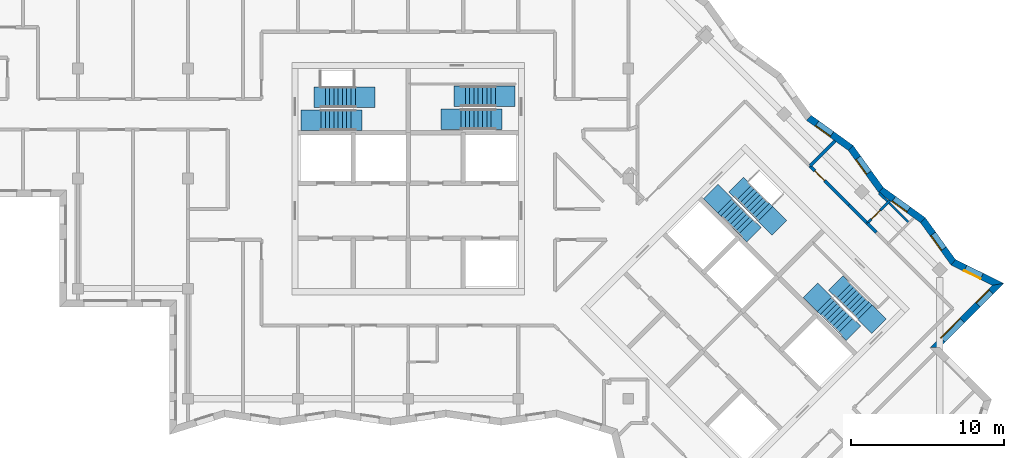
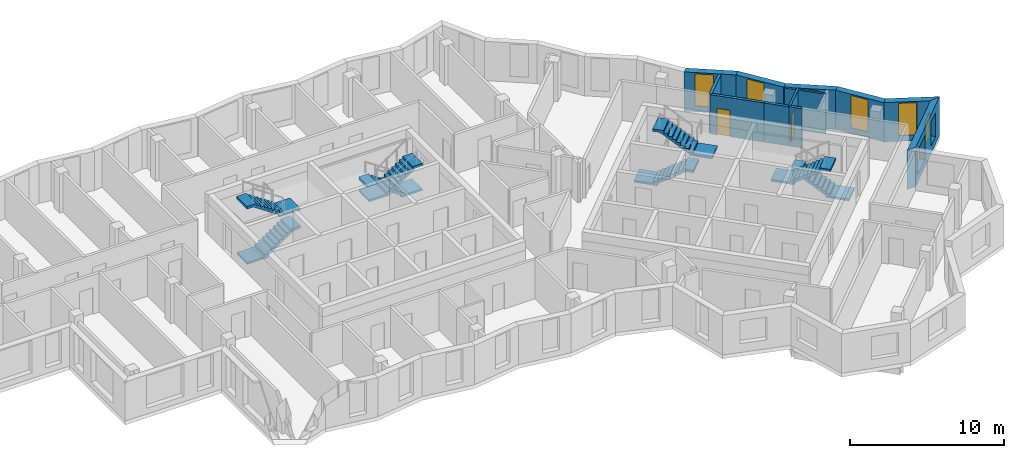
# One storey, part 8 of 11: 12 walls, 8 stair flights, 7 windows, 2 doors, 9 openings, 4 elements without a shape of their own.
"""IFC4 building model written with IfcOpenShell, lengths in metres."""

from ifc_helpers import new_model, si_unit, direction, frame, frame_2d, origin, place, context, subcontext, project, spatial, polyline, rectangle, outline, extrude, material, layer, layer_set, type_object, element, fill, aggregate, save


model = new_model("IFC4")

# Units and contexts
model_context = context("Model", 3, precision=1e-05, world=origin(), true_north=direction((0.0, 1.0)))
body_context = subcontext(model_context, "Body", "Model", "MODEL_VIEW")
ifc_project = project(units=[si_unit("LENGTHUNIT", "METRE"), si_unit("AREAUNIT", "SQUARE_METRE"), si_unit("VOLUMEUNIT", "CUBIC_METRE"), si_unit("PLANEANGLEUNIT", "RADIAN"), si_unit("MASSUNIT", "GRAM", prefix="KILO")], contexts=[model_context])

# Site, building, storey
site_placement = place(None, origin())
site = spatial("IfcSite", under=ifc_project, at=site_placement, CompositionType="ELEMENT")
building_placement = place(site_placement, origin())
building = spatial("IfcBuilding", under=site, at=building_placement, Name="Windrow Commons", CompositionType="ELEMENT")
storey_placement = place(building_placement, frame((0.0, 0.0, 271.0)))
storey = spatial("IfcBuildingStorey", under=building, at=storey_placement, Name="L74", CompositionType="ELEMENT", Elevation=271.0)

# Wall, openings, windows
ifc_material_1 = material(Name="Brick masonry, red clay brick", Category="masonry")
ifc_layer_1 = layer(ifc_material_1, 0.45)
ifc_layer_set_1 = layer_set([ifc_layer_1], Name="Brick facade wall 450")
wall_type_1 = type_object("IfcWallType", Name="Brick facade wall 450", PredefinedType="SOLIDWALL", material=ifc_layer_set_1)
wall_1_placement = place(storey_placement, frame((99.2465, 46.5442, 0.0), z_axis=(0.0, 0.0, 1.0), x_axis=(0.7071067812, 0.7071067812, 0.0)))
wall_1 = element("IfcWall", 1, at=wall_1_placement, inside=storey, type_object=wall_type_1, Name="Brick facade wall L74 6", PredefinedType="SOLIDWALL", context=body_context, shape_type="SweptSolid", body=[
    extrude(outline(polyline([(0.225, -0.225), (6.167, -0.225), (5.5374, 0.225), (-0.225, 0.225), (0.225, -0.225)])), origin(), (0.0, 0.0, 1.0), 3.1),
])
opening_1_placement = place(wall_1_placement, frame((0.7125, 0.0, 0.6)))
opening_1 = element("IfcOpeningElement", 2, at=opening_1_placement, cuts=wall_1, Name="Opening W1L", PredefinedType="OPENING", context=body_context, shape_type="SweptSolid", body=[
    extrude(rectangle(XDim=1.8, YDim=1.9, at=frame_2d((0.9, 0.95))), frame((0.0, 0.235, 0.0), z_axis=(0.0, -1.0, 0.0), x_axis=(1.0, 0.0, 0.0)), (0.0, 0.0, 1.0), 0.47),
])
opening_2_placement = place(wall_1_placement, frame((3.9812, 0.0, 0.6)))
opening_2 = element("IfcOpeningElement", 3, at=opening_2_placement, cuts=wall_1, Name="Opening W7G", PredefinedType="OPENING", context=body_context, shape_type="SweptSolid", body=[
    extrude(rectangle(XDim=1.2, YDim=1.9, at=frame_2d((0.6, 0.95))), frame((0.0, 0.235, 0.0), z_axis=(0.0, -1.0, 0.0), x_axis=(1.0, 0.0, 0.0)), (0.0, 0.0, 1.0), 0.47),
])
ifc_material_2 = material(Name="Clear float glass in anodised aluminium frame", Category="aluminium")
window_type_1 = type_object("IfcWindowType", Name="Window W1L bedroom 1800x1900", PartitioningType="SINGLE_PANEL", PredefinedType="WINDOW", material=ifc_material_2)
window_1_placement = place(opening_1_placement, origin())
window_1 = element("IfcWindow", 4, at=window_1_placement, inside=storey, type_object=window_type_1, Name="Window L74 6.1", OverallHeight=1.9, OverallWidth=1.8, PartitioningType="SINGLE_PANEL", PredefinedType="WINDOW", context=body_context, shape_type="SweptSolid", body=[
    extrude(rectangle(XDim=1.8, YDim=1.9, at=frame_2d((0.9, 0.95))), frame((0.0, 0.205, 0.0), z_axis=(0.0, -1.0, 0.0), x_axis=(1.0, 0.0, 0.0)), (0.0, 0.0, 1.0), 0.06),
])
fill(opening_1, window_1)
ifc_material_3 = material(Name="Clear float glass in anodised aluminium frame", Category="aluminium")
window_type_2 = type_object("IfcWindowType", Name="Window W7 notch 1200x1900", PartitioningType="SINGLE_PANEL", PredefinedType="WINDOW", material=ifc_material_3)
window_2_placement = place(opening_2_placement, origin())
window_2 = element("IfcWindow", 5, at=window_2_placement, inside=storey, type_object=window_type_2, Name="Window L74 6.2", OverallHeight=1.9, OverallWidth=1.2, PartitioningType="SINGLE_PANEL", PredefinedType="WINDOW", context=body_context, shape_type="SweptSolid", body=[
    extrude(rectangle(XDim=1.2, YDim=1.9, at=frame_2d((0.6, 0.95))), frame((0.0, 0.205, 0.0), z_axis=(0.0, -1.0, 0.0), x_axis=(1.0, 0.0, 0.0)), (0.0, 0.0, 1.0), 0.06),
])
fill(opening_2, window_2)

# Wall, opening, window
wall_2_placement = place(storey_placement, frame((103.3846, 50.6823, 0.0), z_axis=(0.0, 0.0, 1.0), x_axis=(-0.8979600771, 0.440076925, 0.0)))
wall_2 = element("IfcWall", 6, at=wall_2_placement, inside=storey, type_object=wall_type_1, Name="Brick facade wall L74 7", PredefinedType="SOLIDWALL", context=body_context, shape_type="SweptSolid", body=[
    extrude(outline(polyline([(-0.3148, -0.225), (3.2122, -0.225), (3.3249, 0.225), (0.3148, 0.225), (-0.3148, -0.225)])), origin(), (0.0, 0.0, 1.0), 3.1),
])
opening_3_placement = place(wall_2_placement, frame((1.1917, 0.0, 0.45)))
opening_3 = element("IfcOpeningElement", 7, at=opening_3_placement, cuts=wall_2, Name="Opening W7F", PredefinedType="OPENING", context=body_context, shape_type="SweptSolid", body=[
    extrude(rectangle(XDim=1.2, YDim=2.55, at=frame_2d((0.6, 1.275))), frame((0.0, 0.235, 0.0), z_axis=(0.0, -1.0, 0.0), x_axis=(1.0, 0.0, 0.0)), (0.0, 0.0, 1.0), 0.47),
])
ifc_material_4 = material(Name="Clear float glass in anodised aluminium frame", Category="aluminium")
window_type_3 = type_object("IfcWindowType", Name="Window W7 notch 1200x2550", PartitioningType="SINGLE_PANEL", PredefinedType="WINDOW", material=ifc_material_4)
window_3_placement = place(opening_3_placement, origin())
window_3 = element("IfcWindow", 8, at=window_3_placement, inside=storey, type_object=window_type_3, Name="Window L74 7.1", OverallHeight=2.55, OverallWidth=1.2, PartitioningType="SINGLE_PANEL", PredefinedType="WINDOW", context=body_context, shape_type="SweptSolid", body=[
    extrude(rectangle(XDim=1.2, YDim=2.55, at=frame_2d((0.6, 1.275))), frame((0.0, 0.205, 0.0), z_axis=(0.0, -1.0, 0.0), x_axis=(1.0, 0.0, 0.0)), (0.0, 0.0, 1.0), 0.06),
])
fill(opening_3, window_3)

wall_3_placement = place(storey_placement, frame((100.4496, 52.1207, 0.0), z_axis=(0.0, 0.0, 1.0), x_axis=(-0.5846130088, 0.8113122888, 0.0)))
wall_3 = element("IfcWall", 9, at=wall_3_placement, inside=storey, type_object=wall_type_1, Name="Brick facade wall L74 8", PredefinedType="SOLIDWALL", context=body_context, shape_type="SweptSolid", body=[
    extrude(outline(polyline([(0.0563, -0.225), (3.4371, -0.225), (3.364, 0.225), (-0.0563, 0.225), (0.0563, -0.225)])), origin(), (0.0, 0.0, 1.0), 3.1),
])
opening_4_placement = place(wall_3_placement, frame((1.082, 0.0, 0.45)))
opening_4 = element("IfcOpeningElement", 10, at=opening_4_placement, cuts=wall_3, Name="Opening W7F", PredefinedType="OPENING", context=body_context, shape_type="SweptSolid", body=[
    extrude(rectangle(XDim=1.2, YDim=2.55, at=frame_2d((0.6, 1.275))), frame((0.0, 0.235, 0.0), z_axis=(0.0, -1.0, 0.0), x_axis=(1.0, 0.0, 0.0)), (0.0, 0.0, 1.0), 0.47),
])
window_4_placement = place(opening_4_placement, origin())
window_4 = element("IfcWindow", 11, at=window_4_placement, inside=storey, type_object=window_type_3, Name="Window L74 8.1", OverallHeight=2.55, OverallWidth=1.2, PartitioningType="SINGLE_PANEL", PredefinedType="WINDOW", context=body_context, shape_type="SweptSolid", body=[
    extrude(rectangle(XDim=1.2, YDim=2.55, at=frame_2d((0.6, 1.275))), frame((0.0, 0.205, 0.0), z_axis=(0.0, -1.0, 0.0), x_axis=(1.0, 0.0, 0.0)), (0.0, 0.0, 1.0), 0.06),
])
fill(opening_4, window_4)

wall_4_placement = place(storey_placement, frame((98.4616, 54.8796, 0.0), z_axis=(0.0, 0.0, 1.0), x_axis=(-0.8113121077, 0.5846132601, 0.0)))
wall_4 = element("IfcWall", 12, at=wall_4_placement, inside=storey, type_object=wall_type_1, Name="Brick facade wall L74 9", PredefinedType="SOLIDWALL", context=body_context, shape_type="SweptSolid", body=[
    extrude(outline(polyline([(-0.0365, -0.225), (3.3442, -0.225), (3.4173, 0.225), (0.0365, 0.225), (-0.0365, -0.225)])), origin(), (0.0, 0.0, 1.0), 3.1),
])
opening_5_placement = place(wall_4_placement, frame((1.1568, 0.0, 0.45)))
opening_5 = element("IfcOpeningElement", 13, at=opening_5_placement, cuts=wall_4, Name="Opening W7F", PredefinedType="OPENING", context=body_context, shape_type="SweptSolid", body=[
    extrude(rectangle(XDim=1.2, YDim=2.55, at=frame_2d((0.6, 1.275))), frame((0.0, 0.235, 0.0), z_axis=(0.0, -1.0, 0.0), x_axis=(1.0, 0.0, 0.0)), (0.0, 0.0, 1.0), 0.47),
])
window_5_placement = place(opening_5_placement, origin())
window_5 = element("IfcWindow", 14, at=window_5_placement, inside=storey, type_object=window_type_3, Name="Window L74 9.1", OverallHeight=2.55, OverallWidth=1.2, PartitioningType="SINGLE_PANEL", PredefinedType="WINDOW", context=body_context, shape_type="SweptSolid", body=[
    extrude(rectangle(XDim=1.2, YDim=2.55, at=frame_2d((0.6, 1.275))), frame((0.0, 0.205, 0.0), z_axis=(0.0, -1.0, 0.0), x_axis=(1.0, 0.0, 0.0)), (0.0, 0.0, 1.0), 0.06),
])
fill(opening_5, window_5)

wall_5_placement = place(storey_placement, frame((95.7188, 56.856, 0.0), z_axis=(0.0, 0.0, 1.0), x_axis=(-0.5846132601, 0.8113121077, 0.0)))
wall_5 = element("IfcWall", 15, at=wall_5_placement, inside=storey, type_object=wall_type_1, Name="Brick facade wall L74 10", PredefinedType="SOLIDWALL", context=body_context, shape_type="SweptSolid", body=[
    extrude(outline(polyline([(0.0365, -0.225), (3.4173, -0.225), (3.3442, 0.225), (-0.0365, 0.225), (0.0365, -0.225)])), origin(), (0.0, 0.0, 1.0), 3.1),
])
opening_6_placement = place(wall_5_placement, frame((1.3718, 0.0, 0.45)))
opening_6 = element("IfcOpeningElement", 16, at=opening_6_placement, cuts=wall_5, Name="Opening W7F", PredefinedType="OPENING", context=body_context, shape_type="SweptSolid", body=[
    extrude(rectangle(XDim=1.2, YDim=2.55, at=frame_2d((0.6, 1.275))), frame((0.0, 0.235, 0.0), z_axis=(0.0, -1.0, 0.0), x_axis=(1.0, 0.0, 0.0)), (0.0, 0.0, 1.0), 0.47),
])
window_6_placement = place(opening_6_placement, origin())
window_6 = element("IfcWindow", 17, at=window_6_placement, inside=storey, type_object=window_type_3, Name="Window L74 10.1", OverallHeight=2.55, OverallWidth=1.2, PartitioningType="SINGLE_PANEL", PredefinedType="WINDOW", context=body_context, shape_type="SweptSolid", body=[
    extrude(rectangle(XDim=1.2, YDim=2.55, at=frame_2d((0.6, 1.275))), frame((0.0, 0.205, 0.0), z_axis=(0.0, -1.0, 0.0), x_axis=(1.0, 0.0, 0.0)), (0.0, 0.0, 1.0), 0.06),
])
fill(opening_6, window_6)

wall_6_placement = place(storey_placement, frame((93.7424, 59.5988, 0.0), z_axis=(0.0, 0.0, 1.0), x_axis=(-0.8113222169, 0.5845992306, 0.0)))
wall_6 = element("IfcWall", 18, at=wall_6_placement, inside=storey, type_object=wall_type_1, Name="Brick facade wall L74 11", PredefinedType="SOLIDWALL", context=body_context, shape_type="SweptSolid", body=[
    extrude(outline(polyline([(-0.0365, -0.225), (3.3442, -0.225), (3.4173, 0.225), (0.0365, 0.225), (-0.0365, -0.225)])), origin(), (0.0, 0.0, 1.0), 3.1),
])
opening_7_placement = place(wall_6_placement, frame((1.5232, 0.0, 0.45)))
opening_7 = element("IfcOpeningElement", 19, at=opening_7_placement, cuts=wall_6, Name="Opening W7F", PredefinedType="OPENING", context=body_context, shape_type="SweptSolid", body=[
    extrude(rectangle(XDim=1.2, YDim=2.55, at=frame_2d((0.6, 1.275))), frame((0.0, 0.235, 0.0), z_axis=(0.0, -1.0, 0.0), x_axis=(1.0, 0.0, 0.0)), (0.0, 0.0, 1.0), 0.47),
])
window_7_placement = place(opening_7_placement, origin())
window_7 = element("IfcWindow", 20, at=window_7_placement, inside=storey, type_object=window_type_3, Name="Window L74 11.1", OverallHeight=2.55, OverallWidth=1.2, PartitioningType="SINGLE_PANEL", PredefinedType="WINDOW", context=body_context, shape_type="SweptSolid", body=[
    extrude(rectangle(XDim=1.2, YDim=2.55, at=frame_2d((0.6, 1.275))), frame((0.0, 0.205, 0.0), z_axis=(0.0, -1.0, 0.0), x_axis=(1.0, 0.0, 0.0)), (0.0, 0.0, 1.0), 0.06),
])
fill(opening_7, window_7)

# Wall, opening, door
ifc_material_5 = material(Name="Blockwork partition", Category="masonry")
ifc_layer_2 = layer(ifc_material_5, 0.2)
ifc_layer_set_2 = layer_set([ifc_layer_2], Name="IW-CORRIDOR-200")
wall_type_2 = type_object("IfcWallType", Name="IW-CORRIDOR-200", PredefinedType="PARTITIONING", material=ifc_layer_set_2)
wall_7_placement = place(storey_placement, frame((91.0769, 58.4209, 0.0), z_axis=(0.0, 0.0, 1.0), x_axis=(0.7068288851, -0.7073845681, 0.0)))
wall_7 = element("IfcWall", 21, at=wall_7_placement, inside=storey, type_object=wall_type_2, Name="W-L74-W052", PredefinedType="PARTITIONING", context=body_context, shape_type="SweptSolid", body=[
    extrude(rectangle(XDim=3.5992, YDim=0.2, at=frame_2d((1.7996, 0.0))), origin(), (0.0, 0.0, 1.0), 3.1),
])
opening_8_placement = place(wall_7_placement, frame((0.4508, 0.0, 0.0)))
opening_8 = element("IfcOpeningElement", 22, at=opening_8_placement, cuts=wall_7, Name="Opening D109S", PredefinedType="OPENING", context=body_context, shape_type="SweptSolid", body=[
    extrude(rectangle(XDim=0.9, YDim=2.1, at=frame_2d((0.45, 1.05))), frame((0.0, 0.11, 0.0), z_axis=(0.0, -1.0, 0.0), x_axis=(1.0, 0.0, 0.0)), (0.0, 0.0, 1.0), 0.22),
])
ifc_material_6 = material(Name="Timber door leaf", Category="wood")
door_type_1 = type_object("IfcDoorType", Name="DT-BEDROOM-900", OperationType="SINGLE_SWING_LEFT", PredefinedType="DOOR", material=ifc_material_6)
door_1_placement = place(opening_8_placement, origin())
door_1 = element("IfcDoor", 23, at=door_1_placement, inside=storey, type_object=door_type_1, Name="D-L74-D031", OperationType="SINGLE_SWING_RIGHT", OverallHeight=2.1, OverallWidth=0.9, PredefinedType="DOOR", context=body_context, shape_type="SweptSolid", body=[
    extrude(rectangle(XDim=0.9, YDim=2.1, at=frame_2d((0.45, 1.05))), frame((0.0, 0.025, 0.0), z_axis=(0.0, -1.0, 0.0), x_axis=(1.0, 0.0, 0.0)), (0.0, 0.0, 1.0), 0.05),
])
fill(opening_8, door_1)

# Walls
wall_8_placement = place(storey_placement, frame((93.6228, 55.8768, 0.0), z_axis=(0.0, 0.0, 1.0), x_axis=(0.7076943229, -0.7065187509, 0.0)))
element("IfcWall", 24, at=wall_8_placement, inside=storey, type_object=wall_type_2, Name="W-L74-W085", PredefinedType="PARTITIONING", context=body_context, shape_type="SweptSolid", body=[
    extrude(rectangle(XDim=1.7013, YDim=0.2, at=frame_2d((0.8507, 0.0))), origin(), (0.0, 0.0, 1.0), 3.1),
])
wall_9_placement = place(storey_placement, frame((94.826, 54.674, 0.0), z_axis=(0.0, 0.0, 1.0), x_axis=(0.7059173694, -0.7082941956, 0.0)))
element("IfcWall", 25, at=wall_9_placement, inside=storey, type_object=wall_type_2, Name="W-L74-W099", PredefinedType="PARTITIONING", context=body_context, shape_type="SweptSolid", body=[
    extrude(rectangle(XDim=0.8415, YDim=0.2, at=frame_2d((0.4208, 0.0))), origin(), (0.0, 0.0, 1.0), 3.1),
])
ifc_material_7 = material(Name="Blockwork partition", Category="masonry")
ifc_layer_3 = layer(ifc_material_7, 0.15)
ifc_layer_set_3 = layer_set([ifc_layer_3], Name="IW-ENSUITE-150")
wall_type_3 = type_object("IfcWallType", Name="IW-ENSUITE-150", PredefinedType="PARTITIONING", material=ifc_layer_set_3)
wall_10_placement = place(storey_placement, frame((95.6022, 56.6528, 0.0), z_axis=(0.0, 0.0, 1.0), x_axis=(0.7076157525, -0.7065974433, 0.0)))
element("IfcWall", 26, at=wall_10_placement, inside=storey, type_object=wall_type_3, Name="W-L74-W062", PredefinedType="PARTITIONING", context=body_context, shape_type="SweptSolid", body=[
    extrude(rectangle(XDim=2.7497, YDim=0.15, at=frame_2d((1.3748, 0.0))), origin(), (0.0, 0.0, 1.0), 3.1),
])

# Wall, opening, door
wall_11_placement = place(storey_placement, frame((94.8268, 54.6772, 0.0), z_axis=(0.0, 0.0, 1.0), x_axis=(0.7070828702, 0.7071306913, 0.0)))
wall_11 = element("IfcWall", 27, at=wall_11_placement, inside=storey, type_object=wall_type_3, Name="W-L74-W078", PredefinedType="PARTITIONING", context=body_context, shape_type="SweptSolid", body=[
    extrude(rectangle(XDim=2.0911, YDim=0.15, at=frame_2d((1.0455, 0.0))), origin(), (0.0, 0.0, 1.0), 3.1),
])
opening_9_placement = place(wall_11_placement, frame((0.3825, 0.0, 0.0)))
opening_9 = element("IfcOpeningElement", 28, at=opening_9_placement, cuts=wall_11, Name="Opening D208N", PredefinedType="OPENING", context=body_context, shape_type="SweptSolid", body=[
    extrude(rectangle(XDim=0.8, YDim=2.1, at=frame_2d((0.4, 1.05))), frame((0.0, 0.085, 0.0), z_axis=(0.0, -1.0, 0.0), x_axis=(1.0, 0.0, 0.0)), (0.0, 0.0, 1.0), 0.17),
])
ifc_material_8 = material(Name="Timber door leaf", Category="wood")
door_type_2 = type_object("IfcDoorType", Name="DT-ENSUITE-800", OperationType="SINGLE_SWING_LEFT", PredefinedType="DOOR", material=ifc_material_8)
door_2_placement = place(opening_9_placement, origin())
door_2 = element("IfcDoor", 29, at=door_2_placement, inside=storey, type_object=door_type_2, Name="D-L74-D032", OperationType="SINGLE_SWING_RIGHT", OverallHeight=2.1, OverallWidth=0.8, PredefinedType="DOOR", context=body_context, shape_type="SweptSolid", body=[
    extrude(rectangle(XDim=0.8, YDim=2.1, at=frame_2d((0.4, 1.05))), frame((0.0, 0.025, 0.0), z_axis=(0.0, -1.0, 0.0), x_axis=(1.0, 0.0, 0.0)), (0.0, 0.0, 1.0), 0.05),
])
fill(opening_9, door_2)

# Wall
ifc_material_9 = material(Name="Blockwork partition", Category="masonry")
ifc_layer_4 = layer(ifc_material_9, 0.2)
ifc_layer_set_4 = layer_set([ifc_layer_4], Name="IW-PARTY-200")
wall_type_4 = type_object("IfcWallType", Name="IW-PARTY-200", PredefinedType="PARTITIONING", material=ifc_layer_set_4)
wall_12_placement = place(storey_placement, frame((91.0791, 58.4249, 0.0), z_axis=(0.0, 0.0, 1.0), x_axis=(0.7071067812, 0.7071067812, 0.0)))
element("IfcWall", 30, at=wall_12_placement, inside=storey, type_object=wall_type_4, Name="W-L74-W076", PredefinedType="PARTITIONING", context=body_context, shape_type="SweptSolid", body=[
    extrude(rectangle(XDim=2.3144, YDim=0.2, at=frame_2d((1.1572, 0.0))), origin(), (0.0, 0.0, 1.0), 3.1),
])

# Stair, stair flights
ifc_material_10 = material(Name="Concrete C40/50", Category="concrete")
stair_type = type_object("IfcStairType", Name="Core stair", PredefinedType="HALF_TURN_STAIR", material=ifc_material_10)
placement = place(storey_placement, origin())
stair_1 = element("IfcStair", 31, at=placement, inside=storey, type_object=stair_type, Name="L74 Exit stair A1 core A", PredefinedType="HALF_TURN_STAIR")
ifc_material_11 = material(Name="Concrete C40/50", Category="concrete")
stair_flight_type = type_object("IfcStairFlightType", Name="Core stair flight", PredefinedType="STRAIGHT", material=ifc_material_11)
stair_flight_1_placement = place(storey_placement, frame((59.1, 61.425, 0.0), z_axis=(0.0, 0.0, 1.0), x_axis=(1.0, 0.0, 0.0)))
stair_flight_1 = element("IfcStairFlight", 32, at=stair_flight_1_placement, type_object=stair_flight_type, Name="ST-A1 flight 1", NumberOfRisers=9, NumberOfTreads=8, PredefinedType="STRAIGHT", RiserHeight=0.188888889, TreadLength=0.28, context=body_context, shape_type="SweptSolid", body=[
    extrude(outline(polyline([(-1.3, -0.15), (-1.3, 0.0), (0.0, 0.0), (0.0, 0.1889), (0.28, 0.1889), (0.28, 0.3778), (0.56, 0.3778), (0.56, 0.5667), (0.84, 0.5667), (0.84, 0.7556), (1.12, 0.7556), (1.12, 0.9444), (1.4, 0.9444), (1.4, 1.1333), (1.68, 1.1333), (1.68, 1.3222), (1.96, 1.3222), (1.96, 1.5111), (2.24, 1.5111), (2.69, 1.5111), (2.69, 1.3111), (2.24, 1.3111), (2.24, 1.3302), (0.2682, 0.0), (0.2682, -0.15), (-1.3, -0.15)])), frame((0.0, 0.675, 0.0), z_axis=(0.0, -1.0, 0.0), x_axis=(1.0, 0.0, 0.0)), (0.0, 0.0, 1.0), 1.35),
])
stair_flight_2_placement = place(storey_placement, frame((61.34, 62.925, 1.7), z_axis=(0.0, 0.0, 1.0), x_axis=(-1.0, 0.0, 0.0)))
stair_flight_2 = element("IfcStairFlight", 33, at=stair_flight_2_placement, type_object=stair_flight_type, Name="ST-A1 flight 2", NumberOfRisers=9, NumberOfTreads=8, PredefinedType="STRAIGHT", RiserHeight=0.188888889, TreadLength=0.28, context=body_context, shape_type="SweptSolid", body=[
    extrude(outline(polyline([(-1.3, -0.15), (-1.3, 0.0), (0.0, 0.0), (0.0, 0.1889), (0.28, 0.1889), (0.28, 0.3778), (0.56, 0.3778), (0.56, 0.5667), (0.84, 0.5667), (0.84, 0.7556), (1.12, 0.7556), (1.12, 0.9444), (1.4, 0.9444), (1.4, 1.1333), (1.68, 1.1333), (1.68, 1.3222), (1.96, 1.3222), (1.96, 1.5111), (2.24, 1.5111), (2.69, 1.5111), (2.69, 1.3111), (2.24, 1.3111), (2.24, 1.3302), (0.2682, 0.0), (0.2682, -0.15), (-1.3, -0.15)])), frame((0.0, 0.675, 0.0), z_axis=(0.0, -1.0, 0.0), x_axis=(1.0, 0.0, 0.0)), (0.0, 0.0, 1.0), 1.35),
])
aggregate(stair_1, [stair_flight_1, stair_flight_2])

stair_2 = element("IfcStair", 34, at=placement, inside=storey, type_object=stair_type, Name="L74 Exit stair A2 core A", PredefinedType="HALF_TURN_STAIR")
stair_flight_3_placement = place(storey_placement, frame((70.5, 62.98, 0.0), z_axis=(0.0, 0.0, 1.0), x_axis=(-1.0, 0.0, 0.0)))
stair_flight_3 = element("IfcStairFlight", 35, at=stair_flight_3_placement, type_object=stair_flight_type, Name="ST-A2 flight 1", NumberOfRisers=9, NumberOfTreads=8, PredefinedType="STRAIGHT", RiserHeight=0.188888889, TreadLength=0.28, context=body_context, shape_type="SweptSolid", body=[
    extrude(outline(polyline([(-1.3, -0.15), (-1.3, 0.0), (0.0, 0.0), (0.0, 0.1889), (0.28, 0.1889), (0.28, 0.3778), (0.56, 0.3778), (0.56, 0.5667), (0.84, 0.5667), (0.84, 0.7556), (1.12, 0.7556), (1.12, 0.9444), (1.4, 0.9444), (1.4, 1.1333), (1.68, 1.1333), (1.68, 1.3222), (1.96, 1.3222), (1.96, 1.5111), (2.24, 1.5111), (2.69, 1.5111), (2.69, 1.3111), (2.24, 1.3111), (2.24, 1.3302), (0.2682, 0.0), (0.2682, -0.15), (-1.3, -0.15)])), frame((0.0, 0.675, 0.0), z_axis=(0.0, -1.0, 0.0), x_axis=(1.0, 0.0, 0.0)), (0.0, 0.0, 1.0), 1.35),
])
stair_flight_4_placement = place(storey_placement, frame((68.26, 61.48, 1.7), z_axis=(0.0, 0.0, 1.0), x_axis=(1.0, 0.0, 0.0)))
stair_flight_4 = element("IfcStairFlight", 36, at=stair_flight_4_placement, type_object=stair_flight_type, Name="ST-A2 flight 2", NumberOfRisers=9, NumberOfTreads=8, PredefinedType="STRAIGHT", RiserHeight=0.188888889, TreadLength=0.28, context=body_context, shape_type="SweptSolid", body=[
    extrude(outline(polyline([(-1.3, -0.15), (-1.3, 0.0), (0.0, 0.0), (0.0, 0.1889), (0.28, 0.1889), (0.28, 0.3778), (0.56, 0.3778), (0.56, 0.5667), (0.84, 0.5667), (0.84, 0.7556), (1.12, 0.7556), (1.12, 0.9444), (1.4, 0.9444), (1.4, 1.1333), (1.68, 1.1333), (1.68, 1.3222), (1.96, 1.3222), (1.96, 1.5111), (2.24, 1.5111), (2.69, 1.5111), (2.69, 1.3111), (2.24, 1.3111), (2.24, 1.3302), (0.2682, 0.0), (0.2682, -0.15), (-1.3, -0.15)])), frame((0.0, 0.675, 0.0), z_axis=(0.0, -1.0, 0.0), x_axis=(1.0, 0.0, 0.0)), (0.0, 0.0, 1.0), 1.35),
])
aggregate(stair_2, [stair_flight_3, stair_flight_4])

stair_3 = element("IfcStair", 37, at=placement, inside=storey, type_object=stair_type, Name="L74 Exit stair B1 core B", PredefinedType="HALF_TURN_STAIR")
stair_flight_5_placement = place(storey_placement, frame((85.5109, 55.8249, 0.0), z_axis=(0.0, 0.0, 1.0), x_axis=(0.7071067812, -0.7071067812, 0.0)))
stair_flight_5 = element("IfcStairFlight", 38, at=stair_flight_5_placement, type_object=stair_flight_type, Name="ST-B1 flight 1", NumberOfRisers=9, NumberOfTreads=8, PredefinedType="STRAIGHT", RiserHeight=0.188888889, TreadLength=0.28, context=body_context, shape_type="SweptSolid", body=[
    extrude(outline(polyline([(-1.3, -0.15), (-1.3, 0.0), (0.0, 0.0), (0.0, 0.1889), (0.28, 0.1889), (0.28, 0.3778), (0.56, 0.3778), (0.56, 0.5667), (0.84, 0.5667), (0.84, 0.7556), (1.12, 0.7556), (1.12, 0.9444), (1.4, 0.9444), (1.4, 1.1333), (1.68, 1.1333), (1.68, 1.3222), (1.96, 1.3222), (1.96, 1.5111), (2.24, 1.5111), (2.69, 1.5111), (2.69, 1.3111), (2.24, 1.3111), (2.24, 1.3302), (0.2682, 0.0), (0.2682, -0.15), (-1.3, -0.15)])), frame((0.0, 0.675, 0.0), z_axis=(0.0, -1.0, 0.0), x_axis=(1.0, 0.0, 0.0)), (0.0, 0.0, 1.0), 1.35),
])
stair_flight_6_placement = place(storey_placement, frame((88.1555, 55.3017, 1.7), z_axis=(0.0, 0.0, 1.0), x_axis=(-0.7071067812, 0.7071067812, 0.0)))
stair_flight_6 = element("IfcStairFlight", 39, at=stair_flight_6_placement, type_object=stair_flight_type, Name="ST-B1 flight 2", NumberOfRisers=9, NumberOfTreads=8, PredefinedType="STRAIGHT", RiserHeight=0.188888889, TreadLength=0.28, context=body_context, shape_type="SweptSolid", body=[
    extrude(outline(polyline([(-1.3, -0.15), (-1.3, 0.0), (0.0, 0.0), (0.0, 0.1889), (0.28, 0.1889), (0.28, 0.3778), (0.56, 0.3778), (0.56, 0.5667), (0.84, 0.5667), (0.84, 0.7556), (1.12, 0.7556), (1.12, 0.9444), (1.4, 0.9444), (1.4, 1.1333), (1.68, 1.1333), (1.68, 1.3222), (1.96, 1.3222), (1.96, 1.5111), (2.24, 1.5111), (2.69, 1.5111), (2.69, 1.3111), (2.24, 1.3111), (2.24, 1.3302), (0.2682, 0.0), (0.2682, -0.15), (-1.3, -0.15)])), frame((0.0, 0.675, 0.0), z_axis=(0.0, -1.0, 0.0), x_axis=(1.0, 0.0, 0.0)), (0.0, 0.0, 1.0), 1.35),
])
aggregate(stair_3, [stair_flight_5, stair_flight_6])

stair_4 = element("IfcStair", 40, at=placement, inside=storey, type_object=stair_type, Name="L74 Exit stair B2 core B", PredefinedType="HALF_TURN_STAIR")
stair_flight_7_placement = place(storey_placement, frame((94.6715, 48.8635, 0.0), z_axis=(0.0, 0.0, 1.0), x_axis=(-0.7071067812, 0.7071067812, 0.0)))
stair_flight_7 = element("IfcStairFlight", 41, at=stair_flight_7_placement, type_object=stair_flight_type, Name="ST-B2 flight 1", NumberOfRisers=9, NumberOfTreads=8, PredefinedType="STRAIGHT", RiserHeight=0.188888889, TreadLength=0.28, context=body_context, shape_type="SweptSolid", body=[
    extrude(outline(polyline([(-1.3, -0.15), (-1.3, 0.0), (0.0, 0.0), (0.0, 0.1889), (0.28, 0.1889), (0.28, 0.3778), (0.56, 0.3778), (0.56, 0.5667), (0.84, 0.5667), (0.84, 0.7556), (1.12, 0.7556), (1.12, 0.9444), (1.4, 0.9444), (1.4, 1.1333), (1.68, 1.1333), (1.68, 1.3222), (1.96, 1.3222), (1.96, 1.5111), (2.24, 1.5111), (2.69, 1.5111), (2.69, 1.3111), (2.24, 1.3111), (2.24, 1.3302), (0.2682, 0.0), (0.2682, -0.15), (-1.3, -0.15)])), frame((0.0, 0.675, 0.0), z_axis=(0.0, -1.0, 0.0), x_axis=(1.0, 0.0, 0.0)), (0.0, 0.0, 1.0), 1.35),
])
stair_flight_8_placement = place(storey_placement, frame((92.0269, 49.3867, 1.7), z_axis=(0.0, 0.0, 1.0), x_axis=(0.7071067812, -0.7071067812, 0.0)))
stair_flight_8 = element("IfcStairFlight", 42, at=stair_flight_8_placement, type_object=stair_flight_type, Name="ST-B2 flight 2", NumberOfRisers=9, NumberOfTreads=8, PredefinedType="STRAIGHT", RiserHeight=0.188888889, TreadLength=0.28, context=body_context, shape_type="SweptSolid", body=[
    extrude(outline(polyline([(-1.3, -0.15), (-1.3, 0.0), (0.0, 0.0), (0.0, 0.1889), (0.28, 0.1889), (0.28, 0.3778), (0.56, 0.3778), (0.56, 0.5667), (0.84, 0.5667), (0.84, 0.7556), (1.12, 0.7556), (1.12, 0.9444), (1.4, 0.9444), (1.4, 1.1333), (1.68, 1.1333), (1.68, 1.3222), (1.96, 1.3222), (1.96, 1.5111), (2.24, 1.5111), (2.69, 1.5111), (2.69, 1.3111), (2.24, 1.3111), (2.24, 1.3302), (0.2682, 0.0), (0.2682, -0.15), (-1.3, -0.15)])), frame((0.0, 0.675, 0.0), z_axis=(0.0, -1.0, 0.0), x_axis=(1.0, 0.0, 0.0)), (0.0, 0.0, 1.0), 1.35),
])
aggregate(stair_4, [stair_flight_7, stair_flight_8])

save(model, "model.ifc")
